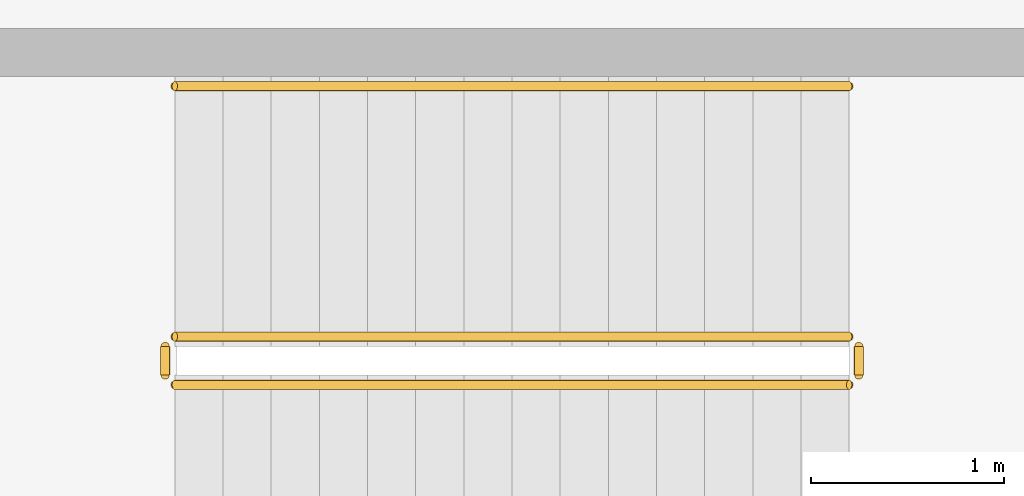
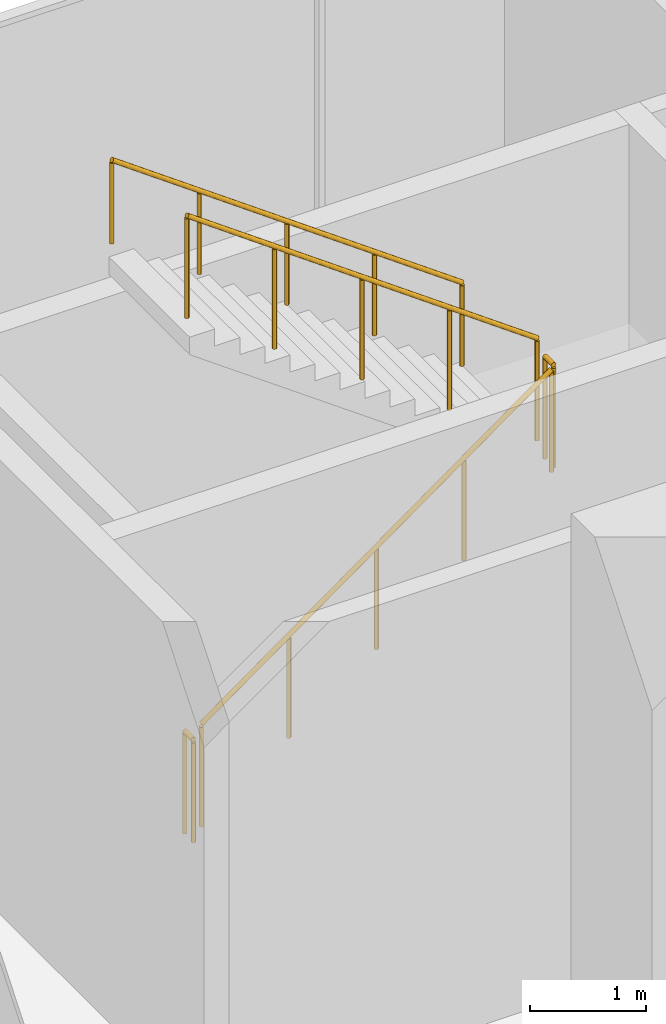
# One storey, part 23 of 23: 5 railings.
"""IFC4 building model written with IfcOpenShell, lengths in metres."""

from ifc_helpers import new_model, si_unit, direction, frame, origin, origin_2d, place, context, subcontext, project, spatial, circle, extrude, source, transform, mapped, material, type_object, element, save


model = new_model("IFC4")

# Units and contexts
model_context = context("Model", 3, precision=1e-05, world=origin(), true_north=direction((0.0, 1.0)))
body_context = subcontext(model_context, "Body", "Model", "MODEL_VIEW")
ifc_project = project(units=[si_unit("LENGTHUNIT", "METRE"), si_unit("AREAUNIT", "SQUARE_METRE"), si_unit("VOLUMEUNIT", "CUBIC_METRE"), si_unit("PLANEANGLEUNIT", "RADIAN"), si_unit("MASSUNIT", "GRAM", prefix="KILO")], contexts=[model_context])

# Site, building, storey
site_placement = place(None, origin())
site = spatial("IfcSite", under=ifc_project, at=site_placement, CompositionType="ELEMENT")
building_placement = place(site_placement, origin())
building = spatial("IfcBuilding", under=site, at=building_placement, Name="Aurelian Terraces", CompositionType="ELEMENT")
storey_placement = place(building_placement, frame((0.0, 0.0, 23.7)))
storey = spatial("IfcBuildingStorey", under=building, at=storey_placement, Name="L04", CompositionType="ELEMENT", Elevation=23.7)

# Railings
ifc_material = material(Name="Stainless steel", Category="steel")
railing_type_1 = type_object("IfcRailingType", Name="Stair guard 1100", PredefinedType="GUARDRAIL", material=ifc_material)
shared_shape_1 = source(origin(), body_context, "Body", "SweptSolid", [
    extrude(circle(Radius=0.024, at=origin_2d()), frame((0.0, 0.0, 1.076), z_axis=(0.0, 1.0, 0.0), x_axis=(-1.0, 0.0, 0.0)), (0.0, 0.0, 1.0), 0.15),
    extrude(circle(Radius=0.021, at=origin_2d()), origin(), (0.0, 0.0, 1.0), 1.052),
    extrude(circle(Radius=0.021, at=origin_2d()), frame((0.0, 0.15, 0.0)), (0.0, 0.0, 1.0), 1.052),
])
for number, where, name in (
    (1, (5.65, 66.05, 2.7), "L04 S5 stair guard 2"),
    (2, (2.05, 66.05, 0.0), "L04 S5 stair guard 4"),
):
    element("IfcRailing", number, at=place(storey_placement, frame(where)), inside=storey, type_object=railing_type_1, Name=name, PredefinedType="GUARDRAIL", context=body_context, shape_type="MappedRepresentation", body=[
        mapped(shared_shape_1, transform((0.0, 0.0, 0.0), scale=1.0)),
    ])
shared_shape_2 = source(origin(), body_context, "Body", "SweptSolid", [
    extrude(circle(Radius=0.024, at=origin_2d()), frame((0.0, 0.0, 1.076), z_axis=(0.811534341451, 0.0, 0.584304725845), x_axis=(0.0, 1.0, 0.0)), (0.0, 0.0, 1.0), 4.3128),
    extrude(circle(Radius=0.021, at=origin_2d()), origin(), (0.0, 0.0, 1.0), 1.052),
    extrude(circle(Radius=0.021, at=origin_2d()), frame((0.875, 0.0, 0.63)), (0.0, 0.0, 1.0), 1.052),
    extrude(circle(Radius=0.021, at=origin_2d()), frame((1.75, 0.0, 1.26)), (0.0, 0.0, 1.0), 1.052),
    extrude(circle(Radius=0.021, at=origin_2d()), frame((2.625, 0.0, 1.89)), (0.0, 0.0, 1.0), 1.052),
    extrude(circle(Radius=0.021, at=origin_2d()), frame((3.5, 0.0, 2.52)), (0.0, 0.0, 1.0), 1.052),
])
railing_1_placement = place(storey_placement, frame((2.1, 66.0, 0.18)))
element("IfcRailing", 3, at=railing_1_placement, inside=storey, type_object=railing_type_1, Name="L04 S5 stair guard 1", PredefinedType="GUARDRAIL", context=body_context, shape_type="MappedRepresentation", body=[
    mapped(shared_shape_2, transform((0.0, 0.0, 0.0), scale=1.0)),
])
shared_shape_3 = source(origin(), body_context, "Body", "SweptSolid", [
    extrude(circle(Radius=0.024, at=origin_2d()), frame((0.0, 0.0, 1.076), z_axis=(-0.811534341451, 0.0, 0.584304725845), x_axis=(0.0, -1.0, 0.0)), (0.0, 0.0, 1.0), 4.3128),
    extrude(circle(Radius=0.021, at=origin_2d()), origin(), (0.0, 0.0, 1.0), 1.052),
    extrude(circle(Radius=0.021, at=origin_2d()), frame((-0.875, 0.0, 0.63)), (0.0, 0.0, 1.0), 1.052),
    extrude(circle(Radius=0.021, at=origin_2d()), frame((-1.75, 0.0, 1.26)), (0.0, 0.0, 1.0), 1.052),
    extrude(circle(Radius=0.021, at=origin_2d()), frame((-2.625, 0.0, 1.89)), (0.0, 0.0, 1.0), 1.052),
    extrude(circle(Radius=0.021, at=origin_2d()), frame((-3.5, 0.0, 2.52)), (0.0, 0.0, 1.0), 1.052),
])
railing_2_placement = place(storey_placement, frame((5.6, 66.25, 2.88)))
element("IfcRailing", 4, at=railing_2_placement, inside=storey, type_object=railing_type_1, Name="L04 S5 stair guard 3", PredefinedType="GUARDRAIL", context=body_context, shape_type="MappedRepresentation", body=[
    mapped(shared_shape_3, transform((0.0, 0.0, 0.0), scale=1.0)),
])
railing_type_2 = type_object("IfcRailingType", Name="Stair handrail", PredefinedType="HANDRAIL", material=ifc_material)
shared_shape_4 = source(origin(), body_context, "Body", "SweptSolid", [
    extrude(circle(Radius=0.024, at=origin_2d()), frame((0.0, 0.0, 0.876), z_axis=(-0.811534341451, 0.0, 0.584304725845), x_axis=(0.0, -1.0, 0.0)), (0.0, 0.0, 1.0), 4.3128),
    extrude(circle(Radius=0.021, at=origin_2d()), origin(), (0.0, 0.0, 1.0), 0.852),
    extrude(circle(Radius=0.021, at=origin_2d()), frame((-0.875, 0.0, 0.63)), (0.0, 0.0, 1.0), 0.852),
    extrude(circle(Radius=0.021, at=origin_2d()), frame((-1.75, 0.0, 1.26)), (0.0, 0.0, 1.0), 0.852),
    extrude(circle(Radius=0.021, at=origin_2d()), frame((-2.625, 0.0, 1.89)), (0.0, 0.0, 1.0), 0.852),
    extrude(circle(Radius=0.021, at=origin_2d()), frame((-3.5, 0.0, 2.52)), (0.0, 0.0, 1.0), 0.852),
])
railing_3_placement = place(storey_placement, frame((5.6, 67.55, 2.88)))
element("IfcRailing", 5, at=railing_3_placement, inside=storey, type_object=railing_type_2, Name="L04 S5 stair handrail 2", PredefinedType="HANDRAIL", context=body_context, shape_type="MappedRepresentation", body=[
    mapped(shared_shape_4, transform((0.0, 0.0, 0.0), scale=1.0)),
])

save(model, "model.ifc")
